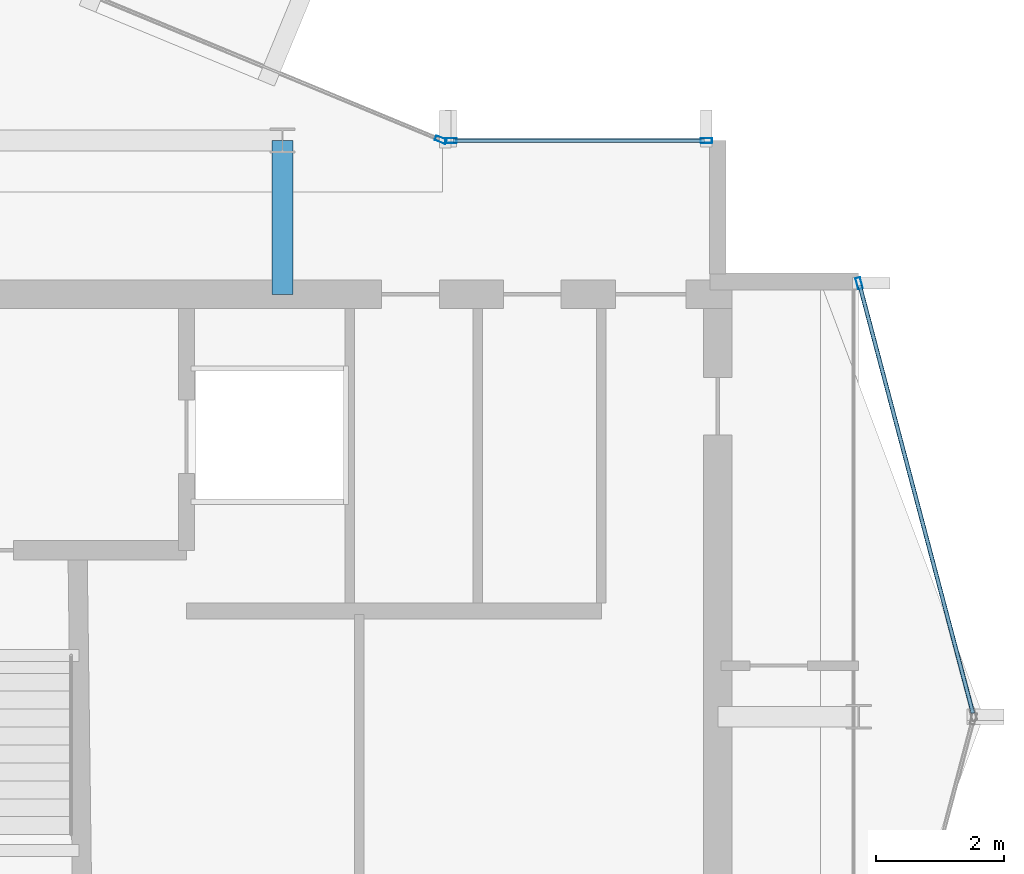
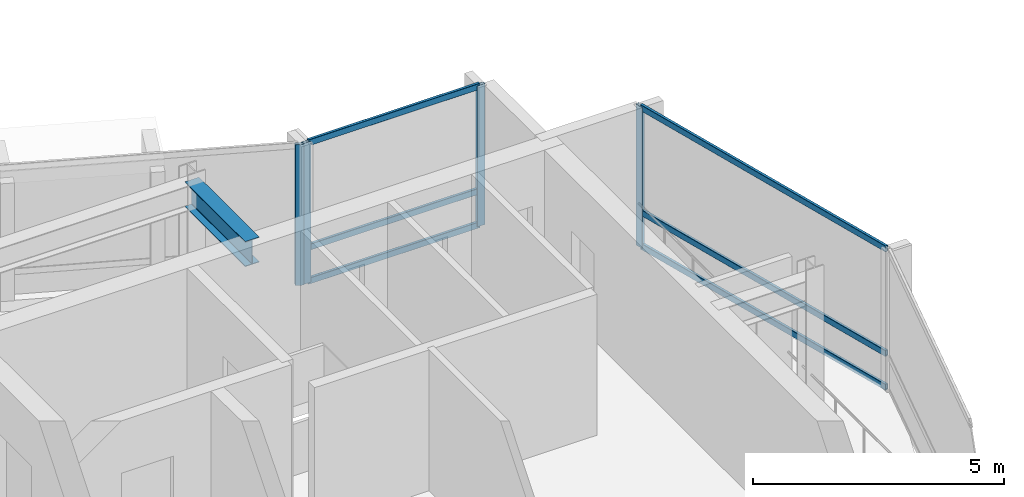
# One storey, part 10 of 19: 10 members, 1 beam, 3 elements without a shape of their own.
"""IFC4 building model written with IfcOpenShell, lengths in metres."""

from ifc_helpers import new_model, si_unit, direction, frame, origin, origin_2d, place, context, subcontext, project, spatial, hollow_rectangle, i_section, extrude, material, layer, layer_set, material_profile, profile_set, type_object, element, aggregate, save


model = new_model("IFC4")

# Units and contexts
model_context = context("Model", 3, precision=1e-05, world=origin(), true_north=direction((0.0, 1.0)))
body_context = subcontext(model_context, "Body", "Model", "MODEL_VIEW")
ifc_project = project(units=[si_unit("LENGTHUNIT", "METRE"), si_unit("AREAUNIT", "SQUARE_METRE"), si_unit("VOLUMEUNIT", "CUBIC_METRE"), si_unit("PLANEANGLEUNIT", "RADIAN"), si_unit("MASSUNIT", "GRAM", prefix="KILO")], contexts=[model_context])

# Site, building, storey
site_placement = place(None, origin())
site = spatial("IfcSite", under=ifc_project, at=site_placement, CompositionType="ELEMENT")
building_placement = place(site_placement, origin())
building = spatial("IfcBuilding", under=site, at=building_placement, Name="Solvaryn Broadcast Tower", CompositionType="ELEMENT")
storey_placement = place(building_placement, frame((0.0, 0.0, 263.0)))
storey = spatial("IfcBuildingStorey", under=building, at=storey_placement, Name="L66", CompositionType="ELEMENT", Elevation=263.0)

# Beam
ifc_material_1 = material(Name="Steel ASTM A992 Grade 50", Category="steel")
ifc_material_profile_1 = material_profile(ifc_material_1, i_section(OverallWidth=0.323974609375, OverallDepth=0.611083984375, WebThickness=0.0126953125, FlangeThickness=0.01904296875, FilletRadius=0.014892578125, at=origin_2d()))
ifc_profile_set_1 = profile_set([ifc_material_profile_1], Name="Steel ASTM A992 Grade 50")
beam_type = type_object("IfcBeamType", Name="BM-B1-W24X104", PredefinedType="BEAM", material=ifc_profile_set_1)
beam_placement = place(storey_placement, frame((36.0, 24.60009765625, 3.114501953125), z_axis=(0.0, 1.0, 0.0), x_axis=(-1.0, 0.0, 0.0)))
element("IfcBeam", 1, at=beam_placement, inside=storey, type_object=beam_type, Name="L66 Core Tie Beam CTE2", PredefinedType="BEAM", context=body_context, shape_type="SweptSolid", body=[
    extrude(i_section(OverallWidth=0.323974609375, OverallDepth=0.611083984375, WebThickness=0.0126953125, FlangeThickness=0.01904296875, FilletRadius=0.014892578125, at=origin_2d()), origin(), (0.0, 0.0, 1.0), 2.39990234375),
])

# Curtain wall, member
ifc_material_2 = material(Name="Aluminium and Terracotta Unitised Curtain Wall", Category="masonry")
ifc_layer = layer(ifc_material_2, 0.199951171875)
ifc_layer_set = layer_set([ifc_layer], Name="CW-SYS2-LOWMID")
curtain_wall_type = type_object("IfcCurtainWallType", Name="CW-SYS2-LOWMID", PredefinedType="NOTDEFINED", material=ifc_layer_set)
curtain_wall_1_placement = place(storey_placement, origin())
curtain_wall_1 = element("IfcCurtainWall", 2, at=curtain_wall_1_placement, inside=storey, type_object=curtain_wall_type, Name="L66 Curtain Wall CN1", PredefinedType="NOTDEFINED")
ifc_material_3 = material(Name="Anodised Aluminium 6063-T6", Category="aluminium")
ifc_material_profile_2 = material_profile(ifc_material_3, hollow_rectangle(XDim=0.074951171875, YDim=0.179931640625, WallThickness=0.00390625, InnerFilletRadius=0.00390625, OuterFilletRadius=0.008056640625, at=origin_2d()))
ifc_profile_set_2 = profile_set([ifc_material_profile_2], Name="Anodised Aluminium 6063-T6")
member_type_1 = type_object("IfcMemberType", Name="CW-MUL-180", PredefinedType="MULLION", material=ifc_profile_set_2)
member_1_placement = place(storey_placement, frame((38.47216796875, 27.011474609375, 0.0), z_axis=(0.0, 0.0, 1.0), x_axis=(-0.382646127145, -0.923894983957, 0.0)))
member_1 = element("IfcMember", 3, at=member_1_placement, type_object=member_type_1, Name="CWS2 mullion 1", PredefinedType="MULLION", context=body_context, shape_type="SweptSolid", body=[
    extrude(hollow_rectangle(XDim=0.074951171875, YDim=0.179931640625, WallThickness=0.00390625, InnerFilletRadius=0.00390625, OuterFilletRadius=0.008056640625, at=origin_2d()), origin(), (0.0, 0.0, 1.0), 3.419921875),
])
aggregate(curtain_wall_1, [member_1])

curtain_wall_2_placement = place(storey_placement, origin())
curtain_wall_2 = element("IfcCurtainWall", 4, at=curtain_wall_2_placement, inside=storey, type_object=curtain_wall_type, Name="L66 Curtain Wall ET1", PredefinedType="NOTDEFINED")
member_2_placement = place(storey_placement, frame((45.007568359375, 24.77099609375, 0.0), z_axis=(0.0, 0.0, 1.0), x_axis=(0.966705227863, 0.25589256031, 0.0)))
member_2 = element("IfcMember", 5, at=member_2_placement, type_object=member_type_1, Name="CWS2 mullion 1", PredefinedType="MULLION", context=body_context, shape_type="SweptSolid", body=[
    extrude(hollow_rectangle(XDim=0.074951171875, YDim=0.179931640625, WallThickness=0.00390625, InnerFilletRadius=0.00390625, OuterFilletRadius=0.008056640625, at=origin_2d()), origin(), (0.0, 0.0, 1.0), 3.419921875),
])

# Curtain wall, members
curtain_wall_3_placement = place(storey_placement, origin())
curtain_wall_3 = element("IfcCurtainWall", 6, at=curtain_wall_3_placement, inside=storey, type_object=curtain_wall_type, Name="L66 Curtain Wall IH", PredefinedType="NOTDEFINED")
member_3_placement = place(storey_placement, frame((38.6298828125, 27.0, 0.0), z_axis=(0.0, 0.0, 1.0), x_axis=(0.0, 1.0, 0.0)))
member_3 = element("IfcMember", 7, at=member_3_placement, type_object=member_type_1, Name="CWS2 mullion 1", PredefinedType="MULLION", context=body_context, shape_type="SweptSolid", body=[
    extrude(hollow_rectangle(XDim=0.074951171875, YDim=0.179931640625, WallThickness=0.00390625, InnerFilletRadius=0.00390625, OuterFilletRadius=0.008056640625, at=origin_2d()), origin(), (0.0, 0.0, 1.0), 3.419921875),
])
member_4_placement = place(storey_placement, frame((42.6201171875, 27.0, 0.0), z_axis=(0.0, 0.0, 1.0), x_axis=(0.0, 1.0, 0.0)))
member_4 = element("IfcMember", 8, at=member_4_placement, type_object=member_type_1, Name="CWS2 mullion 2", PredefinedType="MULLION", context=body_context, shape_type="SweptSolid", body=[
    extrude(hollow_rectangle(XDim=0.074951171875, YDim=0.179931640625, WallThickness=0.00390625, InnerFilletRadius=0.00390625, OuterFilletRadius=0.008056640625, at=origin_2d()), origin(), (0.0, 0.0, 1.0), 3.419921875),
])

# Member
ifc_material_4 = material(Name="Anodised Aluminium 6063-T6", Category="aluminium")
ifc_material_profile_3 = material_profile(ifc_material_4, hollow_rectangle(XDim=0.06494140625, YDim=0.14990234375, WallThickness=0.00390625, InnerFilletRadius=0.00390625, OuterFilletRadius=0.008056640625, at=origin_2d()))
ifc_profile_set_3 = profile_set([ifc_material_profile_3], Name="Anodised Aluminium 6063-T6")
member_type_2 = type_object("IfcMemberType", Name="CW-TRN-150", PredefinedType="USERDEFINED", material=ifc_profile_set_3)
member_5_placement = place(storey_placement, frame((45.015380859375, 24.741943359375, 0.030029296875), z_axis=(0.255897413051, -0.966703943301, 0.0), x_axis=(0.966703943301, 0.255897413051, 0.0)))
member_5 = element("IfcMember", 9, at=member_5_placement, type_object=member_type_2, Name="CWS2 transom 1.1", ObjectType="TRANSOM", PredefinedType="USERDEFINED", context=body_context, shape_type="SweptSolid", body=[
    extrude(hollow_rectangle(XDim=0.06494140625, YDim=0.14990234375, WallThickness=0.00390625, InnerFilletRadius=0.00390625, OuterFilletRadius=0.008056640625, at=origin_2d()), origin(), (0.0, 0.0, 1.0), 6.9140625),
])

member_6_placement = place(storey_placement, frame((45.015380859375, 24.741943359375, 0.85009765625), z_axis=(0.255897413051, -0.966703943301, 0.0), x_axis=(0.966703943301, 0.255897413051, 0.0)))
member_6 = element("IfcMember", 10, at=member_6_placement, type_object=member_type_2, Name="CWS2 transom 1.2", ObjectType="TRANSOM", PredefinedType="USERDEFINED", context=body_context, shape_type="SweptSolid", body=[
    extrude(hollow_rectangle(XDim=0.06494140625, YDim=0.14990234375, WallThickness=0.00390625, InnerFilletRadius=0.00390625, OuterFilletRadius=0.008056640625, at=origin_2d()), origin(), (0.0, 0.0, 1.0), 6.9140625),
])

member_7_placement = place(storey_placement, frame((45.015380859375, 24.741943359375, 3.389892578125), z_axis=(0.255897413051, -0.966703943301, 0.0), x_axis=(0.966703943301, 0.255897413051, 0.0)))
member_7 = element("IfcMember", 11, at=member_7_placement, type_object=member_type_2, Name="CWS2 transom 1.3", ObjectType="TRANSOM", PredefinedType="USERDEFINED", context=body_context, shape_type="SweptSolid", body=[
    extrude(hollow_rectangle(XDim=0.06494140625, YDim=0.14990234375, WallThickness=0.00390625, InnerFilletRadius=0.00390625, OuterFilletRadius=0.008056640625, at=origin_2d()), origin(), (0.0, 0.0, 1.0), 6.9140625),
])

aggregate(curtain_wall_2, [member_2, member_5, member_6, member_7])

member_8_placement = place(storey_placement, frame((38.659912109375, 27.0, 0.030029296875), z_axis=(1.0, 0.0, 0.0), x_axis=(0.0, 1.0, 0.0)))
member_8 = element("IfcMember", 12, at=member_8_placement, type_object=member_type_2, Name="CWS2 transom 1.1", ObjectType="TRANSOM", PredefinedType="USERDEFINED", context=body_context, shape_type="SweptSolid", body=[
    extrude(hollow_rectangle(XDim=0.06494140625, YDim=0.14990234375, WallThickness=0.00390625, InnerFilletRadius=0.00390625, OuterFilletRadius=0.008056640625, at=origin_2d()), origin(), (0.0, 0.0, 1.0), 3.93017578125),
])

member_9_placement = place(storey_placement, frame((38.659912109375, 27.0, 0.85009765625), z_axis=(1.0, 0.0, 0.0), x_axis=(0.0, 1.0, 0.0)))
member_9 = element("IfcMember", 13, at=member_9_placement, type_object=member_type_2, Name="CWS2 transom 1.2", ObjectType="TRANSOM", PredefinedType="USERDEFINED", context=body_context, shape_type="SweptSolid", body=[
    extrude(hollow_rectangle(XDim=0.06494140625, YDim=0.14990234375, WallThickness=0.00390625, InnerFilletRadius=0.00390625, OuterFilletRadius=0.008056640625, at=origin_2d()), origin(), (0.0, 0.0, 1.0), 3.93017578125),
])

member_10_placement = place(storey_placement, frame((38.659912109375, 27.0, 3.389892578125), z_axis=(1.0, 0.0, 0.0), x_axis=(0.0, 1.0, 0.0)))
member_10 = element("IfcMember", 14, at=member_10_placement, type_object=member_type_2, Name="CWS2 transom 1.3", ObjectType="TRANSOM", PredefinedType="USERDEFINED", context=body_context, shape_type="SweptSolid", body=[
    extrude(hollow_rectangle(XDim=0.06494140625, YDim=0.14990234375, WallThickness=0.00390625, InnerFilletRadius=0.00390625, OuterFilletRadius=0.008056640625, at=origin_2d()), origin(), (0.0, 0.0, 1.0), 3.93017578125),
])

aggregate(curtain_wall_3, [member_3, member_4, member_8, member_9, member_10])

save(model, "model.ifc")
